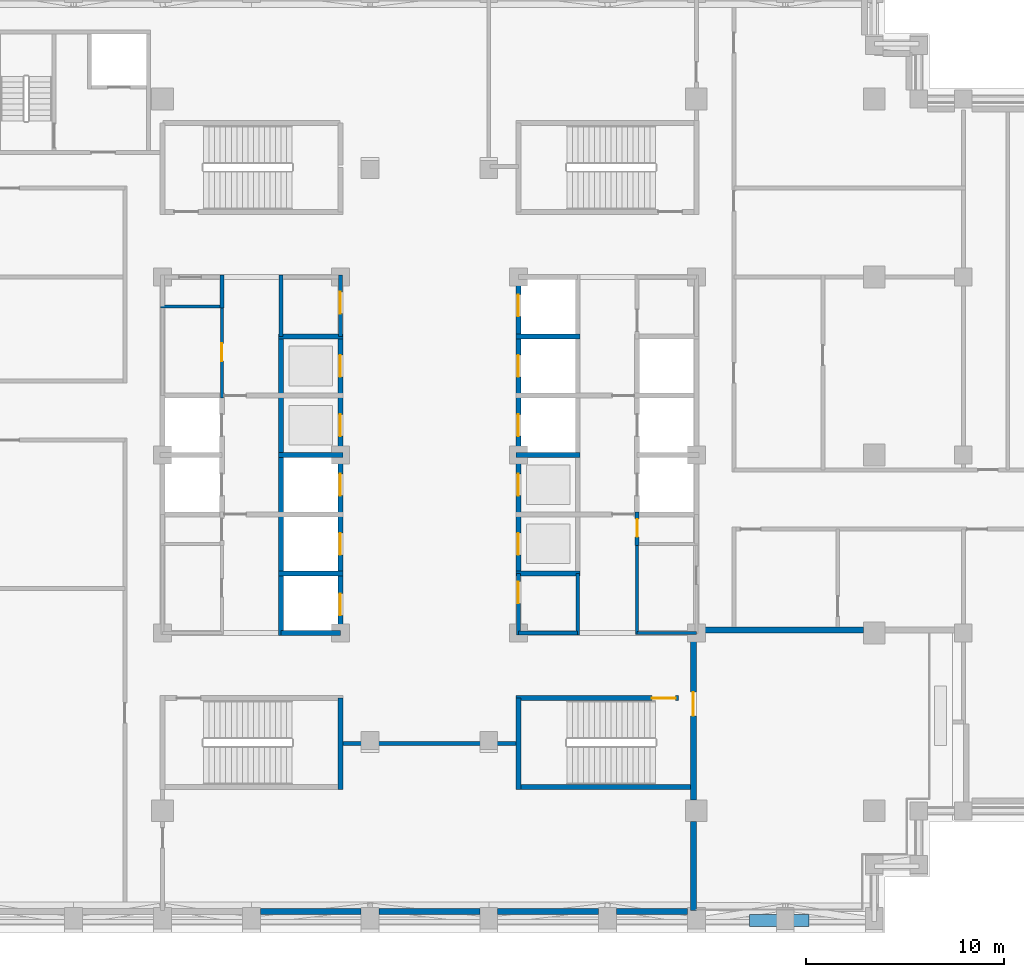
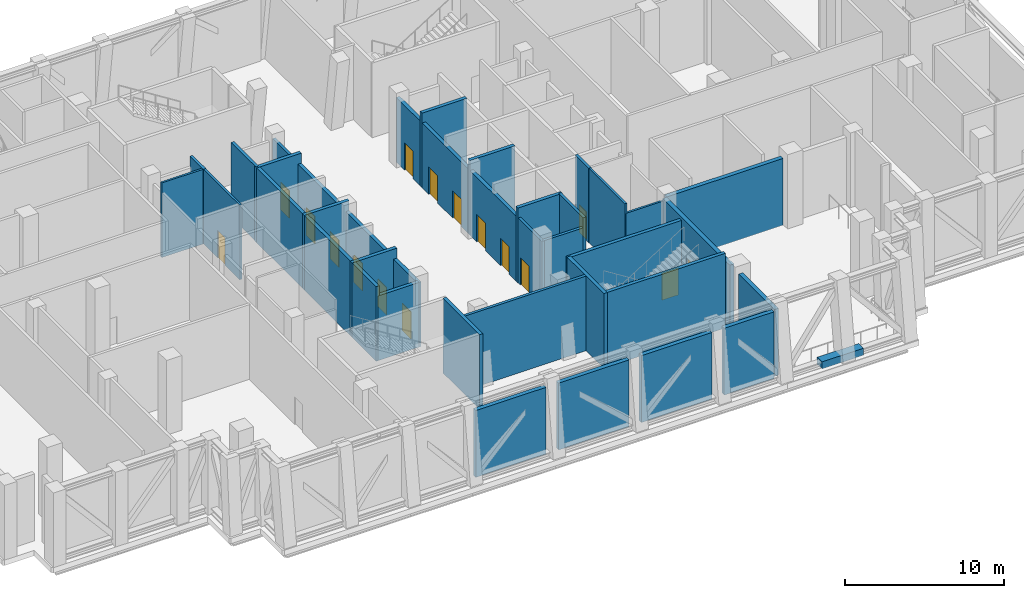
# One storey, part 6 of 14: 34 walls, 16 doors, 16 openings.
"""IFC4 building model written with IfcOpenShell, lengths in metres."""

from ifc_helpers import new_model, si_unit, direction, frame, frame_2d, origin, place, context, subcontext, project, spatial, rectangle, extrude, material, layer, layer_set, type_object, element, fill, save


model = new_model("IFC4")

# Units and contexts
model_context = context("Model", 3, precision=1e-05, world=origin(), true_north=direction((0.0, 1.0)))
body_context = subcontext(model_context, "Body", "Model", "MODEL_VIEW")
ifc_project = project(units=[si_unit("LENGTHUNIT", "METRE"), si_unit("AREAUNIT", "SQUARE_METRE"), si_unit("VOLUMEUNIT", "CUBIC_METRE"), si_unit("PLANEANGLEUNIT", "RADIAN"), si_unit("MASSUNIT", "GRAM", prefix="KILO")], contexts=[model_context])

# Site, building, storey
site_placement = place(None, origin())
site = spatial("IfcSite", under=ifc_project, at=site_placement, CompositionType="ELEMENT")
building_placement = place(site_placement, origin())
building = spatial("IfcBuilding", under=site, at=building_placement, Name="Corbelhall Arena Tower", CompositionType="ELEMENT")
storey_placement = place(building_placement, frame((0.0, 0.0, 178.0)))
storey = spatial("IfcBuildingStorey", under=building, at=storey_placement, Name="L36", CompositionType="ELEMENT", Elevation=178.0)

# Walls
ifc_material_1 = material(Name="Precast concrete C40/50 with granite facing", Category="masonry")
ifc_layer_1 = layer(ifc_material_1, 0.300048828125)
ifc_layer_set_1 = layer_set([ifc_layer_1], Name="EV-IW1 Infill panel 300")
wall_type_1 = type_object("IfcWallType", Name="EV-IW1 Infill panel 300", PredefinedType="SOLIDWALL", material=ifc_layer_set_1)
for number, where, z_axis, x_axis, name in (
    (1, (-8.550048828125, -23.10009765625, 0.0), (0.0, 0.0, 1.0), (1.0, 0.0, 0.0), "Infill panel IW1"),
    (2, (-2.550048828125, -23.10009765625, 0.0), (0.0, 0.0, 1.0), (1.0, 0.0, 0.0), "Infill panel IW1"),
    (3, (3.449951171875, -23.10009765625, 0.0), (0.0, 0.0, 1.0), (1.0, 0.0, 0.0), "Infill panel IW1"),
):
    element("IfcWall", number, at=place(storey_placement, frame(where, z_axis=z_axis, x_axis=x_axis)), inside=storey, type_object=wall_type_1, Name=name, PredefinedType="SOLIDWALL", context=body_context, shape_type="SweptSolid", body=[
        extrude(rectangle(XDim=5.10009765625, YDim=0.300048828125, at=frame_2d((2.550048828125, 0.0))), origin(), (0.0, 0.0, 1.0), 5.1201171875),
    ])
wall_1_placement = place(storey_placement, frame((9.449951171875, -23.10009765625, 0.0), z_axis=(0.0, 0.0, 1.0), x_axis=(1.0, 0.0, 0.0)))
element("IfcWall", 4, at=wall_1_placement, inside=storey, type_object=wall_type_1, Name="Infill panel IW1", PredefinedType="SOLIDWALL", context=body_context, shape_type="SweptSolid", body=[
    extrude(rectangle(XDim=3.60009765625, YDim=0.300048828125, at=frame_2d((1.800048828125, 0.0))), origin(), (0.0, 0.0, 1.0), 5.1201171875),
])
wall_2_placement = place(storey_placement, frame((13.35009765625, -23.050048828125, 0.0), z_axis=(0.0, 0.0, 1.0), x_axis=(0.0, 1.0, 0.0)))
element("IfcWall", 5, at=wall_2_placement, inside=storey, type_object=wall_type_1, Name="Infill panel IW1", PredefinedType="SOLIDWALL", context=body_context, shape_type="SweptSolid", body=[
    extrude(rectangle(XDim=4.5, YDim=0.300048828125, at=frame_2d((2.25, 0.0))), origin(), (0.0, 0.0, 1.0), 5.1201171875),
])

# Wall, opening, door
wall_3_placement = place(storey_placement, frame((13.35009765625, -9.02490234375, 0.0), z_axis=(0.0, 0.0, 1.0), x_axis=(0.0, -1.0, 0.0)))
wall_3 = element("IfcWall", 6, at=wall_3_placement, inside=storey, type_object=wall_type_1, Name="Infill panel IW1", PredefinedType="SOLIDWALL", context=body_context, shape_type="SweptSolid", body=[
    extrude(rectangle(XDim=8.425048828125, YDim=0.300048828125, at=frame_2d((4.21240234375, 0.0))), origin(), (0.0, 0.0, 1.0), 5.1201171875),
])
opening_1_placement = place(wall_3_placement, frame((2.97509765625, 0.0, 0.0)))
opening_1 = element("IfcOpeningElement", 7, at=opening_1_placement, cuts=wall_3, Name="Opening ED1", PredefinedType="OPENING", context=body_context, shape_type="SweptSolid", body=[
    extrude(rectangle(XDim=1.199951171875, YDim=2.39990234375, at=frame_2d((0.60009765625, 1.199951171875))), frame((0.0, 0.14990234375, 0.0), z_axis=(0.0, -1.0, 0.0), x_axis=(1.0, 0.0, 0.0)), (0.0, 0.0, 1.0), 0.300048828125),
])
ifc_material_2 = material(Name="Aluminium black anodised", Category="aluminium")
door_type_1 = type_object("IfcDoorType", Name="EV-ED1 Terrace door", OperationType="SINGLE_SWING_LEFT", PredefinedType="DOOR", material=ifc_material_2)
door_1_placement = place(opening_1_placement, origin())
door_1 = element("IfcDoor", 8, at=door_1_placement, inside=storey, type_object=door_type_1, Name="Terrace door", OperationType="SINGLE_SWING_LEFT", OverallHeight=2.39990234375, OverallWidth=1.199951171875, PredefinedType="DOOR", context=body_context, shape_type="SweptSolid", body=[
    extrude(rectangle(XDim=1.199951171875, YDim=2.39990234375, at=frame_2d((0.60009765625, 1.199951171875))), frame((0.0, 0.02490234375, 0.0), z_axis=(0.0, -1.0, 0.0), x_axis=(1.0, 0.0, 0.0)), (0.0, 0.0, 1.0), 0.050048828125),
])
fill(opening_1, door_1)

# Walls
wall_4_placement = place(storey_placement, frame((13.52490234375, -8.85009765625, 0.0), z_axis=(0.0, 0.0, 1.0), x_axis=(1.0, 0.0, 0.0)))
element("IfcWall", 9, at=wall_4_placement, inside=storey, type_object=wall_type_1, Name="Infill panel IW1", PredefinedType="SOLIDWALL", context=body_context, shape_type="SweptSolid", body=[
    extrude(rectangle(XDim=8.425048828125, YDim=0.300048828125, at=frame_2d((4.21240234375, 0.0))), origin(), (0.0, 0.0, 1.0), 5.1201171875),
])
ifc_layer_2 = layer(ifc_material_1, 0.60009765625)
ifc_layer_set_2 = layer_set([ifc_layer_2], Name="EV-PL1 Planter box")
wall_type_2 = type_object("IfcWallType", Name="EV-PL1 Planter box", PredefinedType="SOLIDWALL", material=ifc_layer_set_2)
wall_5_placement = place(storey_placement, frame((19.195068359375, -23.5400390625, 0.0), z_axis=(0.0, 0.0, 1.0), x_axis=(-1.0, 0.0, 0.0)))
element("IfcWall", 10, at=wall_5_placement, inside=storey, type_object=wall_type_2, Name="PLANTER", PredefinedType="SOLIDWALL", context=body_context, shape_type="SweptSolid", body=[
    extrude(rectangle(XDim=3.0, YDim=0.60009765625, at=frame_2d((1.5, 0.0))), origin(), (0.0, 0.0, 1.0), 0.5400390625),
])
ifc_material_3 = material(Name="Gypsum board on steel stud, acoustic", Category="steel")
ifc_layer_3 = layer(ifc_material_3, 0.199951171875)
ifc_layer_set_3 = layer_set([ifc_layer_3], Name="IN-W-DM200")
wall_type_3 = type_object("IfcWallType", Name="IN-W-DM200", PredefinedType="PARTITIONING", material=ifc_layer_set_3)
wall_6_placement = place(storey_placement, frame((4.5, -14.60009765625, 0.0), z_axis=(0.0, 0.0, 1.0), x_axis=(-1.0, 0.0, 0.0)))
element("IfcWall", 11, at=wall_6_placement, inside=storey, type_object=wall_type_3, Name="Partition 017", PredefinedType="PARTITIONING", context=body_context, shape_type="SweptSolid", body=[
    extrude(rectangle(XDim=9.0, YDim=0.199951171875, at=frame_2d((4.5, 0.0))), origin(), (0.0, 0.0, 1.0), 5.719970703125),
])
ifc_material_4 = material(Name="Concrete block wall", Category="concrete")
ifc_layer_4 = layer(ifc_material_4, 0.199951171875)
ifc_layer_set_4 = layer_set([ifc_layer_4], Name="IN-W-RS200")
wall_type_4 = type_object("IfcWallType", Name="IN-W-RS200", PredefinedType="SOLIDWALL", material=ifc_layer_set_4)
wall_7_placement = place(storey_placement, frame((-10.5, 7.425048828125, 0.0), z_axis=(0.0, 0.0, 1.0), x_axis=(0.0, 1.0, 0.0)))
element("IfcWall", 12, at=wall_7_placement, inside=storey, type_object=wall_type_4, Name="Partition 042", PredefinedType="SOLIDWALL", context=body_context, shape_type="SweptSolid", body=[
    extrude(rectangle(XDim=1.675048828125, YDim=0.199951171875, at=frame_2d((0.83740234375, 0.0))), origin(), (0.0, 0.0, 1.0), 5.719970703125),
])
for number, where, z_axis, x_axis, name in (
    (13, (-7.5, 6.0, 0.0), (0.0, 0.0, 1.0), (0.0, 1.0, 0.0), "Partition 043"),
    (14, (7.5, -6.0, 0.0), (0.0, 0.0, 1.0), (0.0, -1.0, 0.0), "Partition 048"),
):
    element("IfcWall", number, at=place(storey_placement, frame(where, z_axis=z_axis, x_axis=x_axis)), inside=storey, type_object=wall_type_4, Name=name, PredefinedType="SOLIDWALL", context=body_context, shape_type="SweptSolid", body=[
        extrude(rectangle(XDim=3.10009765625, YDim=0.199951171875, at=frame_2d((1.550048828125, 0.0))), origin(), (0.0, 0.0, 1.0), 5.719970703125),
    ])

# Wall, opening, door
wall_8_placement = place(storey_placement, frame((10.5, -2.875, 0.0), z_axis=(0.0, 0.0, 1.0), x_axis=(0.0, -1.0, 0.0)))
wall_8 = element("IfcWall", 15, at=wall_8_placement, inside=storey, type_object=wall_type_4, Name="Partition 049", PredefinedType="SOLIDWALL", context=body_context, shape_type="SweptSolid", body=[
    extrude(rectangle(XDim=1.699951171875, YDim=0.199951171875, at=frame_2d((0.85009765625, 0.0))), origin(), (0.0, 0.0, 1.0), 5.719970703125),
])
opening_2_placement = place(wall_8_placement, frame((0.3701171875, 0.0, 0.0)))
opening_2 = element("IfcOpeningElement", 16, at=opening_2_placement, cuts=wall_8, Name="Opening 27040", PredefinedType="OPENING", context=body_context, shape_type="SweptSolid", body=[
    extrude(rectangle(XDim=0.89990234375, YDim=2.10009765625, at=frame_2d((0.449951171875, 1.050048828125))), frame((0.0, 0.10009765625, 0.0), z_axis=(0.0, -1.0, 0.0), x_axis=(1.0, 0.0, 0.0)), (0.0, 0.0, 1.0), 0.199951171875),
])
ifc_material_5 = material(Name="Timber door set", Category="wood")
door_type_2 = type_object("IfcDoorType", Name="IN-D-SW90", OperationType="NOTDEFINED", PredefinedType="DOOR", material=ifc_material_5)
door_2_placement = place(opening_2_placement, origin())
door_2 = element("IfcDoor", 17, at=door_2_placement, inside=storey, type_object=door_type_2, Name="Door 040", OperationType="SINGLE_SWING_LEFT", OverallHeight=2.10009765625, OverallWidth=0.89990234375, PredefinedType="DOOR", context=body_context, shape_type="SweptSolid", body=[
    extrude(rectangle(XDim=0.89990234375, YDim=2.10009765625, at=frame_2d((0.449951171875, 1.050048828125))), frame((0.0, 0.02490234375, 0.0), z_axis=(0.0, -1.0, 0.0), x_axis=(1.0, 0.0, 0.0)), (0.0, 0.0, 1.0), 0.050048828125),
])
fill(opening_2, door_2)

ifc_layer_5 = layer(ifc_material_4, 0.199951171875)
ifc_layer_set_5 = layer_set([ifc_layer_5], Name="IN-W-RS200 under beam 762 mm")
wall_type_5 = type_object("IfcWallType", Name="IN-W-RS200 under beam 762 mm", PredefinedType="SOLIDWALL", material=ifc_layer_set_5)
wall_9_placement = place(storey_placement, frame((-4.5, 9.10009765625, 0.0), z_axis=(0.0, 0.0, 1.0), x_axis=(0.0, -1.0, 0.0)))
wall_9 = element("IfcWall", 18, at=wall_9_placement, inside=storey, type_object=wall_type_5, Name="Partition 045", PredefinedType="SOLIDWALL", context=body_context, shape_type="SweptSolid", body=[
    extrude(rectangle(XDim=3.10009765625, YDim=0.199951171875, at=frame_2d((1.550048828125, 0.0))), origin(), (0.0, 0.0, 1.0), 4.9580078125),
])
opening_3_placement = place(wall_9_placement, frame((0.85009765625, 0.0, 0.0)))
opening_3 = element("IfcOpeningElement", 19, at=opening_3_placement, cuts=wall_9, Name="Opening 27001", PredefinedType="OPENING", context=body_context, shape_type="SweptSolid", body=[
    extrude(rectangle(XDim=1.10009765625, YDim=2.10009765625, at=frame_2d((0.550048828125, 1.050048828125))), frame((0.0, 0.10009765625, 0.0), z_axis=(0.0, -1.0, 0.0), x_axis=(1.0, 0.0, 0.0)), (0.0, 0.0, 1.0), 0.199951171875),
])
ifc_material_6 = material(Name="Steel door set", Category="steel")
door_type_3 = type_object("IfcDoorType", Name="IN-D-FD110", OperationType="NOTDEFINED", PredefinedType="DOOR", material=ifc_material_6)
door_3_placement = place(opening_3_placement, origin())
door_3 = element("IfcDoor", 20, at=door_3_placement, inside=storey, type_object=door_type_3, Name="Door 001", OperationType="SINGLE_SWING_RIGHT", OverallHeight=2.10009765625, OverallWidth=1.10009765625, PredefinedType="DOOR", context=body_context, shape_type="SweptSolid", body=[
    extrude(rectangle(XDim=1.10009765625, YDim=2.10009765625, at=frame_2d((0.550048828125, 1.050048828125))), frame((0.0, 0.02490234375, 0.0), z_axis=(0.0, -1.0, 0.0), x_axis=(1.0, 0.0, 0.0)), (0.0, 0.0, 1.0), 0.050048828125),
])
fill(opening_3, door_3)

wall_10_placement = place(storey_placement, frame((4.5, -9.10009765625, 0.0), z_axis=(0.0, 0.0, 1.0), x_axis=(0.0, 1.0, 0.0)))
wall_10 = element("IfcWall", 21, at=wall_10_placement, inside=storey, type_object=wall_type_5, Name="Partition 046", PredefinedType="SOLIDWALL", context=body_context, shape_type="SweptSolid", body=[
    extrude(rectangle(XDim=3.10009765625, YDim=0.199951171875, at=frame_2d((1.550048828125, 0.0))), origin(), (0.0, 0.0, 1.0), 4.9580078125),
])
opening_4_placement = place(wall_10_placement, frame((1.60009765625, 0.0, 0.0)))
opening_4 = element("IfcOpeningElement", 22, at=opening_4_placement, cuts=wall_10, Name="Opening 27007", PredefinedType="OPENING", context=body_context, shape_type="SweptSolid", body=[
    extrude(rectangle(XDim=1.10009765625, YDim=2.10009765625, at=frame_2d((0.550048828125, 1.050048828125))), frame((0.0, 0.10009765625, 0.0), z_axis=(0.0, -1.0, 0.0), x_axis=(1.0, 0.0, 0.0)), (0.0, 0.0, 1.0), 0.199951171875),
])
door_4_placement = place(opening_4_placement, origin())
door_4 = element("IfcDoor", 23, at=door_4_placement, inside=storey, type_object=door_type_3, Name="Door 007", OperationType="SINGLE_SWING_RIGHT", OverallHeight=2.10009765625, OverallWidth=1.10009765625, PredefinedType="DOOR", context=body_context, shape_type="SweptSolid", body=[
    extrude(rectangle(XDim=1.10009765625, YDim=2.10009765625, at=frame_2d((0.550048828125, 1.050048828125))), frame((0.0, 0.02490234375, 0.0), z_axis=(0.0, -1.0, 0.0), x_axis=(1.0, 0.0, 0.0)), (0.0, 0.0, 1.0), 0.050048828125),
])
fill(opening_4, door_4)

# Walls
wall_11_placement = place(storey_placement, frame((7.5, -9.0, 0.0), z_axis=(0.0, 0.0, 1.0), x_axis=(-1.0, 0.0, 0.0)))
element("IfcWall", 24, at=wall_11_placement, inside=storey, type_object=wall_type_5, Name="Partition 047", PredefinedType="SOLIDWALL", context=body_context, shape_type="SweptSolid", body=[
    extrude(rectangle(XDim=3.0, YDim=0.199951171875, at=frame_2d((1.5, 0.0))), origin(), (0.0, 0.0, 1.0), 4.9580078125),
])
ifc_material_7 = material(Name="Concrete C40/50", Category="concrete")
ifc_layer_6 = layer(ifc_material_7, 0.25)
ifc_layer_set_6 = layer_set([ifc_layer_6], Name="IN-W-SH250")
wall_type_6 = type_object("IfcWallType", Name="IN-W-SH250", PredefinedType="SOLIDWALL", material=ifc_layer_set_6)
for number, where, z_axis, x_axis, name in (
    (25, (-7.625, -6.0, 0.0), (0.0, 0.0, 1.0), (1.0, 0.0, 0.0), "Shaft wall 059"),
    (26, (-7.625, 0.0, 0.0), (0.0, 0.0, 1.0), (1.0, 0.0, 0.0), "Shaft wall 060"),
    (27, (-7.625, 6.0, 0.0), (0.0, 0.0, 1.0), (1.0, 0.0, 0.0), "Shaft wall 061"),
):
    element("IfcWall", number, at=place(storey_placement, frame(where, z_axis=z_axis, x_axis=x_axis)), inside=storey, type_object=wall_type_6, Name=name, PredefinedType="SOLIDWALL", context=body_context, shape_type="SweptSolid", body=[
        extrude(rectangle(XDim=3.25, YDim=0.25, at=frame_2d((1.625, 0.0))), origin(), (0.0, 0.0, 1.0), 5.719970703125),
    ])
wall_12_placement = place(storey_placement, frame((-7.5, -9.125, 0.0), z_axis=(0.0, 0.0, 1.0), x_axis=(0.0, 1.0, 0.0)))
element("IfcWall", 28, at=wall_12_placement, inside=storey, type_object=wall_type_6, Name="Shaft wall 062", PredefinedType="SOLIDWALL", context=body_context, shape_type="SweptSolid", body=[
    extrude(rectangle(XDim=15.125, YDim=0.25, at=frame_2d((7.5625, 0.0))), origin(), (0.0, 0.0, 1.0), 5.719970703125),
])
for number, where, z_axis, x_axis, name in (
    (29, (4.375, -6.0, 0.0), (0.0, 0.0, 1.0), (1.0, 0.0, 0.0), "Shaft wall 065"),
    (30, (4.375, 0.0, 0.0), (0.0, 0.0, 1.0), (1.0, 0.0, 0.0), "Shaft wall 067"),
    (31, (4.375, 6.0, 0.0), (0.0, 0.0, 1.0), (1.0, 0.0, 0.0), "Shaft wall 069"),
):
    element("IfcWall", number, at=place(storey_placement, frame(where, z_axis=z_axis, x_axis=x_axis)), inside=storey, type_object=wall_type_6, Name=name, PredefinedType="SOLIDWALL", context=body_context, shape_type="SweptSolid", body=[
        extrude(rectangle(XDim=3.25, YDim=0.25, at=frame_2d((1.625, 0.0))), origin(), (0.0, 0.0, 1.0), 5.719970703125),
    ])
ifc_layer_7 = layer(ifc_material_7, 0.25)
ifc_layer_set_7 = layer_set([ifc_layer_7], Name="IN-W-SH250 under beam 762 mm")
wall_type_7 = type_object("IfcWallType", Name="IN-W-SH250 under beam 762 mm", PredefinedType="SOLIDWALL", material=ifc_layer_set_7)
wall_13_placement = place(storey_placement, frame((-4.5, -9.0, 0.0), z_axis=(0.0, 0.0, 1.0), x_axis=(-1.0, 0.0, 0.0)))
element("IfcWall", 32, at=wall_13_placement, inside=storey, type_object=wall_type_7, Name="Shaft wall 063", PredefinedType="SOLIDWALL", context=body_context, shape_type="SweptSolid", body=[
    extrude(rectangle(XDim=3.0, YDim=0.25, at=frame_2d((1.5, 0.0))), origin(), (0.0, 0.0, 1.0), 4.9580078125),
])

# Wall, openings, doors
wall_14_placement = place(storey_placement, frame((-4.5, 6.0, 0.0), z_axis=(0.0, 0.0, 1.0), x_axis=(0.0, -1.0, 0.0)))
wall_14 = element("IfcWall", 33, at=wall_14_placement, inside=storey, type_object=wall_type_7, Name="Shaft wall 064", PredefinedType="SOLIDWALL", context=body_context, shape_type="SweptSolid", body=[
    extrude(rectangle(XDim=15.125, YDim=0.25, at=frame_2d((7.5625, 0.0))), origin(), (0.0, 0.0, 1.0), 4.9580078125),
])
opening_5_placement = place(wall_14_placement, frame((13.012451171875, 0.0, 0.0)))
opening_5 = element("IfcOpeningElement", 34, at=opening_5_placement, cuts=wall_14, Name="Opening LD", PredefinedType="OPENING", context=body_context, shape_type="SweptSolid", body=[
    extrude(rectangle(XDim=1.10009765625, YDim=2.10009765625, at=frame_2d((0.550048828125, 1.050048828125))), frame((0.0, 0.125, 0.0), z_axis=(0.0, -1.0, 0.0), x_axis=(1.0, 0.0, 0.0)), (0.0, 0.0, 1.0), 0.25),
])
opening_6_placement = place(wall_14_placement, frame((9.949951171875, 0.0, 0.0)))
opening_6 = element("IfcOpeningElement", 35, at=opening_6_placement, cuts=wall_14, Name="Opening LD", PredefinedType="OPENING", context=body_context, shape_type="SweptSolid", body=[
    extrude(rectangle(XDim=1.10009765625, YDim=2.10009765625, at=frame_2d((0.550048828125, 1.050048828125))), frame((0.0, 0.125, 0.0), z_axis=(0.0, -1.0, 0.0), x_axis=(1.0, 0.0, 0.0)), (0.0, 0.0, 1.0), 0.25),
])
opening_7_placement = place(wall_14_placement, frame((6.949951171875, 0.0, 0.0)))
opening_7 = element("IfcOpeningElement", 36, at=opening_7_placement, cuts=wall_14, Name="Opening LD", PredefinedType="OPENING", context=body_context, shape_type="SweptSolid", body=[
    extrude(rectangle(XDim=1.10009765625, YDim=2.10009765625, at=frame_2d((0.550048828125, 1.050048828125))), frame((0.0, 0.125, 0.0), z_axis=(0.0, -1.0, 0.0), x_axis=(1.0, 0.0, 0.0)), (0.0, 0.0, 1.0), 0.25),
])
opening_8_placement = place(wall_14_placement, frame((3.949951171875, 0.0, 0.0)))
opening_8 = element("IfcOpeningElement", 37, at=opening_8_placement, cuts=wall_14, Name="Opening LD", PredefinedType="OPENING", context=body_context, shape_type="SweptSolid", body=[
    extrude(rectangle(XDim=1.10009765625, YDim=2.10009765625, at=frame_2d((0.550048828125, 1.050048828125))), frame((0.0, 0.125, 0.0), z_axis=(0.0, -1.0, 0.0), x_axis=(1.0, 0.0, 0.0)), (0.0, 0.0, 1.0), 0.25),
])
opening_9_placement = place(wall_14_placement, frame((0.949951171875, 0.0, 0.0)))
opening_9 = element("IfcOpeningElement", 38, at=opening_9_placement, cuts=wall_14, Name="Opening LD", PredefinedType="OPENING", context=body_context, shape_type="SweptSolid", body=[
    extrude(rectangle(XDim=1.10009765625, YDim=2.10009765625, at=frame_2d((0.550048828125, 1.050048828125))), frame((0.0, 0.125, 0.0), z_axis=(0.0, -1.0, 0.0), x_axis=(1.0, 0.0, 0.0)), (0.0, 0.0, 1.0), 0.25),
])
door_type_4 = type_object("IfcDoorType", Name="IN-D-LD110", OperationType="NOTDEFINED", PredefinedType="DOOR", material=ifc_material_6)
door_5_placement = place(opening_5_placement, origin())
door_5 = element("IfcDoor", 39, at=door_5_placement, inside=storey, type_object=door_type_4, Name="Landing door W1", OperationType="SLIDING_TO_LEFT", OverallHeight=2.10009765625, OverallWidth=1.10009765625, PredefinedType="DOOR", context=body_context, shape_type="SweptSolid", body=[
    extrude(rectangle(XDim=1.10009765625, YDim=2.10009765625, at=frame_2d((0.550048828125, 1.050048828125))), frame((0.0, 0.02490234375, 0.0), z_axis=(0.0, -1.0, 0.0), x_axis=(1.0, 0.0, 0.0)), (0.0, 0.0, 1.0), 0.050048828125),
])
fill(opening_5, door_5)
door_6_placement = place(opening_6_placement, origin())
door_6 = element("IfcDoor", 40, at=door_6_placement, inside=storey, type_object=door_type_4, Name="Landing door W2", OperationType="SLIDING_TO_LEFT", OverallHeight=2.10009765625, OverallWidth=1.10009765625, PredefinedType="DOOR", context=body_context, shape_type="SweptSolid", body=[
    extrude(rectangle(XDim=1.10009765625, YDim=2.10009765625, at=frame_2d((0.550048828125, 1.050048828125))), frame((0.0, 0.02490234375, 0.0), z_axis=(0.0, -1.0, 0.0), x_axis=(1.0, 0.0, 0.0)), (0.0, 0.0, 1.0), 0.050048828125),
])
fill(opening_6, door_6)
door_7_placement = place(opening_7_placement, origin())
door_7 = element("IfcDoor", 41, at=door_7_placement, inside=storey, type_object=door_type_4, Name="Landing door W3", OperationType="SLIDING_TO_LEFT", OverallHeight=2.10009765625, OverallWidth=1.10009765625, PredefinedType="DOOR", context=body_context, shape_type="SweptSolid", body=[
    extrude(rectangle(XDim=1.10009765625, YDim=2.10009765625, at=frame_2d((0.550048828125, 1.050048828125))), frame((0.0, 0.02490234375, 0.0), z_axis=(0.0, -1.0, 0.0), x_axis=(1.0, 0.0, 0.0)), (0.0, 0.0, 1.0), 0.050048828125),
])
fill(opening_7, door_7)
door_8_placement = place(opening_8_placement, origin())
door_8 = element("IfcDoor", 42, at=door_8_placement, inside=storey, type_object=door_type_4, Name="Landing door W4", OperationType="SLIDING_TO_LEFT", OverallHeight=2.10009765625, OverallWidth=1.10009765625, PredefinedType="DOOR", context=body_context, shape_type="SweptSolid", body=[
    extrude(rectangle(XDim=1.10009765625, YDim=2.10009765625, at=frame_2d((0.550048828125, 1.050048828125))), frame((0.0, 0.02490234375, 0.0), z_axis=(0.0, -1.0, 0.0), x_axis=(1.0, 0.0, 0.0)), (0.0, 0.0, 1.0), 0.050048828125),
])
fill(opening_8, door_8)
door_9_placement = place(opening_9_placement, origin())
door_9 = element("IfcDoor", 43, at=door_9_placement, inside=storey, type_object=door_type_4, Name="Landing door W5", OperationType="SLIDING_TO_LEFT", OverallHeight=2.10009765625, OverallWidth=1.10009765625, PredefinedType="DOOR", context=body_context, shape_type="SweptSolid", body=[
    extrude(rectangle(XDim=1.10009765625, YDim=2.10009765625, at=frame_2d((0.550048828125, 1.050048828125))), frame((0.0, 0.02490234375, 0.0), z_axis=(0.0, -1.0, 0.0), x_axis=(1.0, 0.0, 0.0)), (0.0, 0.0, 1.0), 0.050048828125),
])
fill(opening_9, door_9)

wall_15_placement = place(storey_placement, frame((4.5, -6.0, 0.0), z_axis=(0.0, 0.0, 1.0), x_axis=(0.0, 1.0, 0.0)))
wall_15 = element("IfcWall", 44, at=wall_15_placement, inside=storey, type_object=wall_type_7, Name="Shaft wall 070", PredefinedType="SOLIDWALL", context=body_context, shape_type="SweptSolid", body=[
    extrude(rectangle(XDim=15.125, YDim=0.25, at=frame_2d((7.5625, 0.0))), origin(), (0.0, 0.0, 1.0), 4.9580078125),
])
opening_10_placement = place(wall_15_placement, frame((0.949951171875, 0.0, 0.0)))
opening_10 = element("IfcOpeningElement", 45, at=opening_10_placement, cuts=wall_15, Name="Opening LD", PredefinedType="OPENING", context=body_context, shape_type="SweptSolid", body=[
    extrude(rectangle(XDim=1.10009765625, YDim=2.10009765625, at=frame_2d((0.550048828125, 1.050048828125))), frame((0.0, 0.125, 0.0), z_axis=(0.0, -1.0, 0.0), x_axis=(1.0, 0.0, 0.0)), (0.0, 0.0, 1.0), 0.25),
])
opening_11_placement = place(wall_15_placement, frame((3.949951171875, 0.0, 0.0)))
opening_11 = element("IfcOpeningElement", 46, at=opening_11_placement, cuts=wall_15, Name="Opening LD", PredefinedType="OPENING", context=body_context, shape_type="SweptSolid", body=[
    extrude(rectangle(XDim=1.10009765625, YDim=2.10009765625, at=frame_2d((0.550048828125, 1.050048828125))), frame((0.0, 0.125, 0.0), z_axis=(0.0, -1.0, 0.0), x_axis=(1.0, 0.0, 0.0)), (0.0, 0.0, 1.0), 0.25),
])
opening_12_placement = place(wall_15_placement, frame((6.949951171875, 0.0, 0.0)))
opening_12 = element("IfcOpeningElement", 47, at=opening_12_placement, cuts=wall_15, Name="Opening LD", PredefinedType="OPENING", context=body_context, shape_type="SweptSolid", body=[
    extrude(rectangle(XDim=1.10009765625, YDim=2.10009765625, at=frame_2d((0.550048828125, 1.050048828125))), frame((0.0, 0.125, 0.0), z_axis=(0.0, -1.0, 0.0), x_axis=(1.0, 0.0, 0.0)), (0.0, 0.0, 1.0), 0.25),
])
opening_13_placement = place(wall_15_placement, frame((9.949951171875, 0.0, 0.0)))
opening_13 = element("IfcOpeningElement", 48, at=opening_13_placement, cuts=wall_15, Name="Opening LD", PredefinedType="OPENING", context=body_context, shape_type="SweptSolid", body=[
    extrude(rectangle(XDim=1.10009765625, YDim=2.10009765625, at=frame_2d((0.550048828125, 1.050048828125))), frame((0.0, 0.125, 0.0), z_axis=(0.0, -1.0, 0.0), x_axis=(1.0, 0.0, 0.0)), (0.0, 0.0, 1.0), 0.25),
])
opening_14_placement = place(wall_15_placement, frame((13.012451171875, 0.0, 0.0)))
opening_14 = element("IfcOpeningElement", 49, at=opening_14_placement, cuts=wall_15, Name="Opening LD", PredefinedType="OPENING", context=body_context, shape_type="SweptSolid", body=[
    extrude(rectangle(XDim=1.10009765625, YDim=2.10009765625, at=frame_2d((0.550048828125, 1.050048828125))), frame((0.0, 0.125, 0.0), z_axis=(0.0, -1.0, 0.0), x_axis=(1.0, 0.0, 0.0)), (0.0, 0.0, 1.0), 0.25),
])
door_10_placement = place(opening_10_placement, origin())
door_10 = element("IfcDoor", 50, at=door_10_placement, inside=storey, type_object=door_type_4, Name="Landing door E2", OperationType="SLIDING_TO_LEFT", OverallHeight=2.10009765625, OverallWidth=1.10009765625, PredefinedType="DOOR", context=body_context, shape_type="SweptSolid", body=[
    extrude(rectangle(XDim=1.10009765625, YDim=2.10009765625, at=frame_2d((0.550048828125, 1.050048828125))), frame((0.0, 0.02490234375, 0.0), z_axis=(0.0, -1.0, 0.0), x_axis=(1.0, 0.0, 0.0)), (0.0, 0.0, 1.0), 0.050048828125),
])
fill(opening_10, door_10)
door_11_placement = place(opening_11_placement, origin())
door_11 = element("IfcDoor", 51, at=door_11_placement, inside=storey, type_object=door_type_4, Name="Landing door E3", OperationType="SLIDING_TO_LEFT", OverallHeight=2.10009765625, OverallWidth=1.10009765625, PredefinedType="DOOR", context=body_context, shape_type="SweptSolid", body=[
    extrude(rectangle(XDim=1.10009765625, YDim=2.10009765625, at=frame_2d((0.550048828125, 1.050048828125))), frame((0.0, 0.02490234375, 0.0), z_axis=(0.0, -1.0, 0.0), x_axis=(1.0, 0.0, 0.0)), (0.0, 0.0, 1.0), 0.050048828125),
])
fill(opening_11, door_11)
door_12_placement = place(opening_12_placement, origin())
door_12 = element("IfcDoor", 52, at=door_12_placement, inside=storey, type_object=door_type_4, Name="Landing door E4", OperationType="SLIDING_TO_LEFT", OverallHeight=2.10009765625, OverallWidth=1.10009765625, PredefinedType="DOOR", context=body_context, shape_type="SweptSolid", body=[
    extrude(rectangle(XDim=1.10009765625, YDim=2.10009765625, at=frame_2d((0.550048828125, 1.050048828125))), frame((0.0, 0.02490234375, 0.0), z_axis=(0.0, -1.0, 0.0), x_axis=(1.0, 0.0, 0.0)), (0.0, 0.0, 1.0), 0.050048828125),
])
fill(opening_12, door_12)
door_13_placement = place(opening_13_placement, origin())
door_13 = element("IfcDoor", 53, at=door_13_placement, inside=storey, type_object=door_type_4, Name="Landing door E5", OperationType="SLIDING_TO_LEFT", OverallHeight=2.10009765625, OverallWidth=1.10009765625, PredefinedType="DOOR", context=body_context, shape_type="SweptSolid", body=[
    extrude(rectangle(XDim=1.10009765625, YDim=2.10009765625, at=frame_2d((0.550048828125, 1.050048828125))), frame((0.0, 0.02490234375, 0.0), z_axis=(0.0, -1.0, 0.0), x_axis=(1.0, 0.0, 0.0)), (0.0, 0.0, 1.0), 0.050048828125),
])
fill(opening_13, door_13)
door_14_placement = place(opening_14_placement, origin())
door_14 = element("IfcDoor", 54, at=door_14_placement, inside=storey, type_object=door_type_4, Name="Landing door E6", OperationType="SLIDING_TO_LEFT", OverallHeight=2.10009765625, OverallWidth=1.10009765625, PredefinedType="DOOR", context=body_context, shape_type="SweptSolid", body=[
    extrude(rectangle(XDim=1.10009765625, YDim=2.10009765625, at=frame_2d((0.550048828125, 1.050048828125))), frame((0.0, 0.02490234375, 0.0), z_axis=(0.0, -1.0, 0.0), x_axis=(1.0, 0.0, 0.0)), (0.0, 0.0, 1.0), 0.050048828125),
])
fill(opening_14, door_14)

# Walls
ifc_layer_8 = layer(ifc_material_7, 0.25)
ifc_layer_set_8 = layer_set([ifc_layer_8], Name="IN-W-ST250")
wall_type_8 = type_object("IfcWallType", Name="IN-W-ST250", PredefinedType="SOLIDWALL", material=ifc_layer_set_8)
for number, where, z_axis, x_axis, name in (
    (55, (-4.5, -12.300048828125, 0.0), (0.0, 0.0, 1.0), (0.0, -1.0, 0.0), "Shaft wall 088"),
    (56, (4.5, -16.925048828125, 0.0), (0.0, 0.0, 1.0), (0.0, 1.0, 0.0), "Shaft wall 094"),
):
    element("IfcWall", number, at=place(storey_placement, frame(where, z_axis=z_axis, x_axis=x_axis)), inside=storey, type_object=wall_type_8, Name=name, PredefinedType="SOLIDWALL", context=body_context, shape_type="SweptSolid", body=[
        extrude(rectangle(XDim=4.625, YDim=0.25, at=frame_2d((2.3125, 0.0))), origin(), (0.0, 0.0, 1.0), 5.719970703125),
    ])
wall_16_placement = place(storey_placement, frame((13.199951171875, -16.800048828125, 0.0), z_axis=(0.0, 0.0, 1.0), x_axis=(-1.0, 0.0, 0.0)))
element("IfcWall", 57, at=wall_16_placement, inside=storey, type_object=wall_type_8, Name="Shaft wall 096", PredefinedType="SOLIDWALL", context=body_context, shape_type="SweptSolid", body=[
    extrude(rectangle(XDim=8.699951171875, YDim=0.25, at=frame_2d((4.35009765625, 0.0))), origin(), (0.0, 0.0, 1.0), 5.719970703125),
])

# Wall, opening, door
wall_17_placement = place(storey_placement, frame((12.60009765625, -12.300048828125, 0.0), z_axis=(0.0, 0.0, 1.0), x_axis=(-1.0, 0.0, 0.0)))
wall_17 = element("IfcWall", 58, at=wall_17_placement, inside=storey, type_object=wall_type_8, Name="Shaft wall 097", PredefinedType="SOLIDWALL", context=body_context, shape_type="SweptSolid", body=[
    extrude(rectangle(XDim=8.22509765625, YDim=0.25, at=frame_2d((4.112548828125, 0.0))), origin(), (0.0, 0.0, 1.0), 5.719970703125),
])
opening_15_placement = place(wall_17_placement, frame((0.14990234375, 0.0, 0.0)))
opening_15 = element("IfcOpeningElement", 59, at=opening_15_placement, cuts=wall_17, Name="Opening 27015", PredefinedType="OPENING", context=body_context, shape_type="SweptSolid", body=[
    extrude(rectangle(XDim=1.199951171875, YDim=2.10009765625, at=frame_2d((0.60009765625, 1.050048828125))), frame((0.0, 0.125, 0.0), z_axis=(0.0, -1.0, 0.0), x_axis=(1.0, 0.0, 0.0)), (0.0, 0.0, 1.0), 0.25),
])
door_type_5 = type_object("IfcDoorType", Name="IN-D-ST120", OperationType="NOTDEFINED", PredefinedType="DOOR", material=ifc_material_6)
door_15_placement = place(opening_15_placement, origin())
door_15 = element("IfcDoor", 60, at=door_15_placement, inside=storey, type_object=door_type_5, Name="Door 015", OperationType="SINGLE_SWING_RIGHT", OverallHeight=2.10009765625, OverallWidth=1.199951171875, PredefinedType="DOOR", context=body_context, shape_type="SweptSolid", body=[
    extrude(rectangle(XDim=1.199951171875, YDim=2.10009765625, at=frame_2d((0.60009765625, 1.050048828125))), frame((0.0, 0.02490234375, 0.0), z_axis=(0.0, -1.0, 0.0), x_axis=(1.0, 0.0, 0.0)), (0.0, 0.0, 1.0), 0.050048828125),
])
fill(opening_15, door_15)

# Wall
ifc_material_8 = material(Name="Gypsum board on steel stud, moisture resistant", Category="steel")
ifc_layer_9 = layer(ifc_material_8, 0.14990234375)
ifc_layer_set_9 = layer_set([ifc_layer_9], Name="IN-W-WC150")
wall_type_9 = type_object("IfcWallType", Name="IN-W-WC150", PredefinedType="PARTITIONING", material=ifc_layer_set_9)
wall_18_placement = place(storey_placement, frame((-13.60009765625, 7.5, 0.0), z_axis=(0.0, 0.0, 1.0), x_axis=(1.0, 0.0, 0.0)))
element("IfcWall", 61, at=wall_18_placement, inside=storey, type_object=wall_type_9, Name="Partition 106", PredefinedType="PARTITIONING", context=body_context, shape_type="SweptSolid", body=[
    extrude(rectangle(XDim=3.10009765625, YDim=0.14990234375, at=frame_2d((1.550048828125, 0.0))), origin(), (0.0, 0.0, 1.0), 5.719970703125),
])

# Wall, opening, door
wall_19_placement = place(storey_placement, frame((-10.5, 2.875, 0.0), z_axis=(0.0, 0.0, 1.0), x_axis=(0.0, 1.0, 0.0)))
wall_19 = element("IfcWall", 62, at=wall_19_placement, inside=storey, type_object=wall_type_9, Name="Partition 111", PredefinedType="PARTITIONING", context=body_context, shape_type="SweptSolid", body=[
    extrude(rectangle(XDim=4.699951171875, YDim=0.14990234375, at=frame_2d((2.35009765625, 0.0))), origin(), (0.0, 0.0, 1.0), 5.719970703125),
])
opening_16_placement = place(wall_19_placement, frame((1.8701171875, 0.0, 0.0)))
opening_16 = element("IfcOpeningElement", 63, at=opening_16_placement, cuts=wall_19, Name="Opening 27039", PredefinedType="OPENING", context=body_context, shape_type="SweptSolid", body=[
    extrude(rectangle(XDim=0.89990234375, YDim=2.10009765625, at=frame_2d((0.449951171875, 1.050048828125))), frame((0.0, 0.074951171875, 0.0), z_axis=(0.0, -1.0, 0.0), x_axis=(1.0, 0.0, 0.0)), (0.0, 0.0, 1.0), 0.14990234375),
])
door_16_placement = place(opening_16_placement, origin())
door_16 = element("IfcDoor", 64, at=door_16_placement, inside=storey, type_object=door_type_2, Name="Door 039", OperationType="SINGLE_SWING_LEFT", OverallHeight=2.10009765625, OverallWidth=0.89990234375, PredefinedType="DOOR", context=body_context, shape_type="SweptSolid", body=[
    extrude(rectangle(XDim=0.89990234375, YDim=2.10009765625, at=frame_2d((0.449951171875, 1.050048828125))), frame((0.0, 0.02490234375, 0.0), z_axis=(0.0, -1.0, 0.0), x_axis=(1.0, 0.0, 0.0)), (0.0, 0.0, 1.0), 0.050048828125),
])
fill(opening_16, door_16)

# Walls
wall_20_placement = place(storey_placement, frame((10.5, -4.425048828125, 0.0), z_axis=(0.0, 0.0, 1.0), x_axis=(0.0, -1.0, 0.0)))
element("IfcWall", 65, at=wall_20_placement, inside=storey, type_object=wall_type_9, Name="Partition 113", PredefinedType="PARTITIONING", context=body_context, shape_type="SweptSolid", body=[
    extrude(rectangle(XDim=4.64990234375, YDim=0.14990234375, at=frame_2d((2.324951171875, 0.0))), origin(), (0.0, 0.0, 1.0), 5.719970703125),
])
ifc_layer_10 = layer(ifc_material_8, 0.14990234375)
ifc_layer_set_10 = layer_set([ifc_layer_10], Name="IN-W-WC150 under beam 762 mm")
wall_type_10 = type_object("IfcWallType", Name="IN-W-WC150 under beam 762 mm", PredefinedType="PARTITIONING", material=ifc_layer_set_10)
wall_21_placement = place(storey_placement, frame((13.5, -9.0, 0.0), z_axis=(0.0, 0.0, 1.0), x_axis=(-1.0, 0.0, 0.0)))
element("IfcWall", 66, at=wall_21_placement, inside=storey, type_object=wall_type_10, Name="Partition 114", PredefinedType="PARTITIONING", context=body_context, shape_type="SweptSolid", body=[
    extrude(rectangle(XDim=3.0, YDim=0.14990234375, at=frame_2d((1.5, 0.0))), origin(), (0.0, 0.0, 1.0), 4.9580078125),
])

save(model, "model.ifc")
